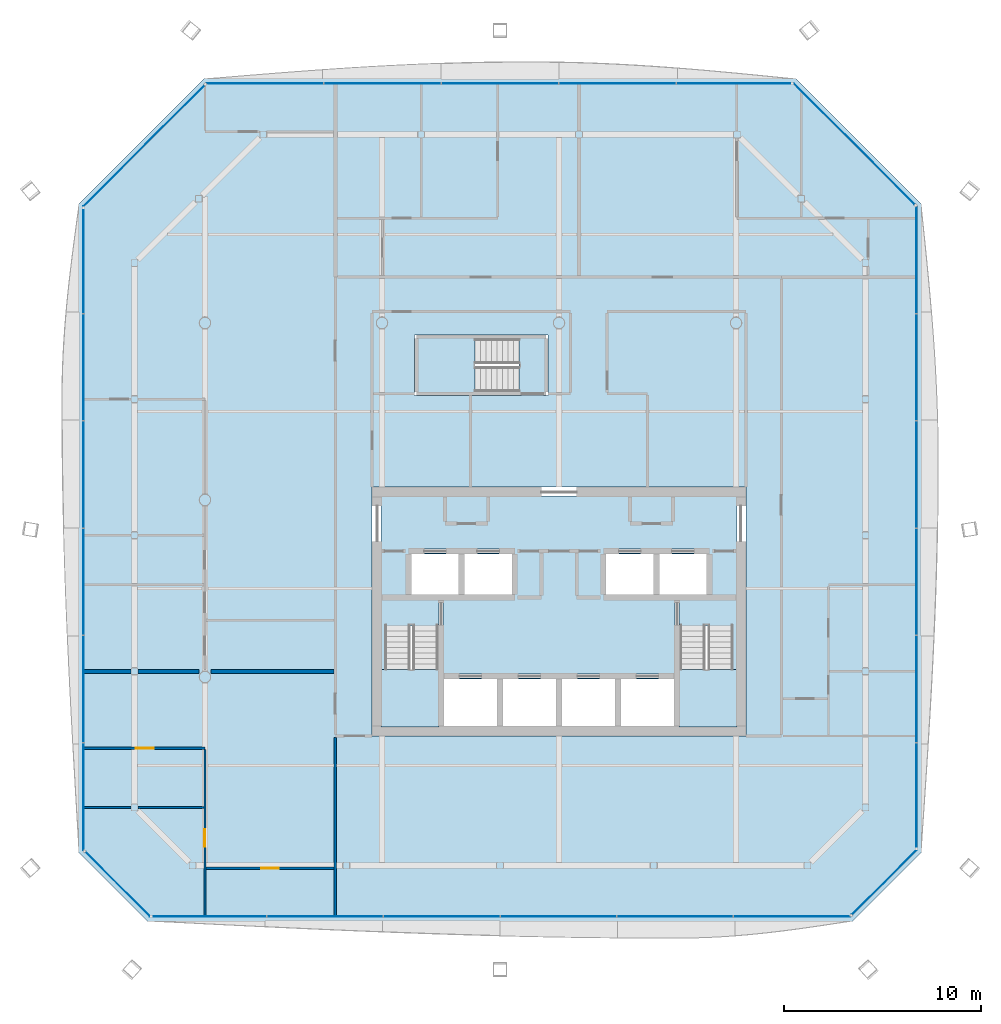
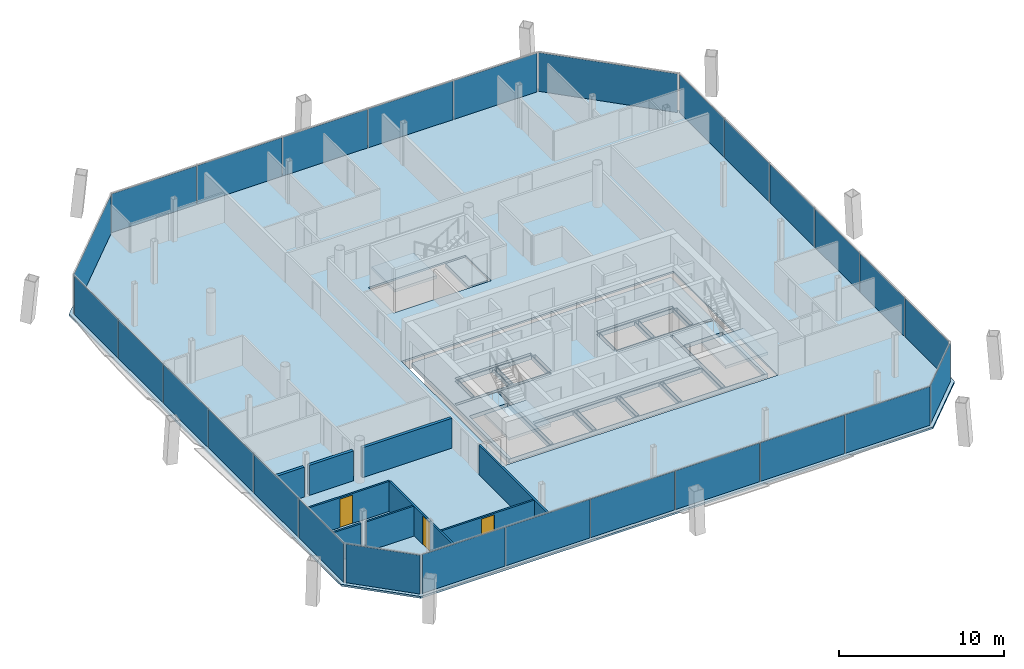
# One storey, part 13 of 20: 27 plates, 9 walls, 6 slabs, 3 doors, 3 openings, 11 elements without a shape of their own.
"""IFC4 building model written with IfcOpenShell, lengths in metres."""

from ifc_helpers import new_model, si_unit, direction, frame, frame_2d, origin, origin_2d, place, context, subcontext, project, spatial, polyline, rectangle, outline, extrude, material, layer, layer_set, type_object, element, fill, aggregate, save


model = new_model("IFC4")

# Units and contexts
model_context = context("Model", 3, precision=1e-05, world=origin(), true_north=direction((0.0, 1.0)))
body_context = subcontext(model_context, "Body", "Model", "MODEL_VIEW")
ifc_project = project(units=[si_unit("LENGTHUNIT", "METRE"), si_unit("AREAUNIT", "SQUARE_METRE"), si_unit("VOLUMEUNIT", "CUBIC_METRE"), si_unit("PLANEANGLEUNIT", "RADIAN"), si_unit("MASSUNIT", "GRAM", prefix="KILO")], contexts=[model_context])

# Site, building, storey
site_placement = place(None, origin())
site = spatial("IfcSite", under=ifc_project, at=site_placement, CompositionType="ELEMENT")
building_placement = place(site_placement, origin())
building = spatial("IfcBuilding", under=site, at=building_placement, Name="Tskaro Facet Tower", CompositionType="ELEMENT")
storey_placement = place(building_placement, frame((0.0, 0.0, 178.5)))
storey = spatial("IfcBuildingStorey", under=building, at=storey_placement, Name="L44", CompositionType="ELEMENT", Elevation=178.5)

# Slab
ifc_material_1 = material(Name="Concrete C30/37", Category="concrete")
ifc_layer_1 = layer(ifc_material_1, 0.139892578125, Name="Concrete C30/37")
ifc_layer_set_1 = layer_set([ifc_layer_1], Name="Concrete C30/37")
slab_type_1 = type_object("IfcSlabType", Name="Composite deck floor slab", PredefinedType="FLOOR", material=ifc_layer_set_1)
slab_1_placement = place(storey_placement, frame((0.0, 0.0, -0.139892578125)))
element("IfcSlab", 1, at=slab_1_placement, inside=storey, type_object=slab_type_1, Name="Floor slab FS3 L44", PredefinedType="FLOOR", context=body_context, shape_type="SweptSolid", body=[
    extrude(outline(polyline([(-20.904052734375, -21.426025390625), (14.904052734375, -21.426025390625), (18.426025390625, -17.904052734375), (18.426025390625, 15.034912109375), (12.034912109375, 21.426025390625), (-18.034912109375, 21.426025390625), (-24.426025390625, 15.034912109375), (-24.426025390625, -17.904052734375), (-20.904052734375, -21.426025390625)]), holes=[polyline([(-9.5, -12.0), (9.5, -12.0), (9.5, 0.64990234375), (-9.5, 0.64990234375), (-9.5, -12.0)]), polyline([(-7.35009765625, 5.300048828125), (-0.550048828125, 5.300048828125), (-0.550048828125, 8.39990234375), (-7.35009765625, 8.39990234375), (-7.35009765625, 5.300048828125)])]), origin(), (0.0, 0.0, 1.0), 0.139892578125),
])

# Curtain wall, plates
ifc_material_2 = material(Name="Bronze anodised aluminium 6063-T6", Category="aluminium")
curtain_wall_type = type_object("IfcCurtainWallType", Name="Bronze residence curtain wall (FW3)", PredefinedType="NOTDEFINED", material=ifc_material_2)
curtain_wall_1_placement = place(storey_placement, origin())
curtain_wall_1 = element("IfcCurtainWall", 2, at=curtain_wall_1_placement, inside=storey, type_object=curtain_wall_type, Name="FW3 south facet L44", PredefinedType="NOTDEFINED")
ifc_material_3 = material(Name="Bronze low-iron glass", Category="glass")
ifc_layer_2 = layer(ifc_material_3, 0.028076171875, Name="Bronze low-iron glass")
ifc_layer_set_2 = layer_set([ifc_layer_2], Name="Bronze low-iron glass")
plate_type = type_object("IfcPlateType", Name="FW3 bronze-tinted unit glazing 28", PredefinedType="CURTAIN_PANEL", material=ifc_layer_set_2)
plate_1_placement = place(storey_placement, frame((-17.77587890625, -21.176025390625, 0.0), z_axis=(0.0, 0.0, 1.0), x_axis=(1.0, 0.0, 0.0)))
plate_1 = element("IfcPlate", 3, at=plate_1_placement, type_object=plate_type, Name="FW3 south glazing 1.1", PredefinedType="CURTAIN_PANEL", context=body_context, shape_type="SweptSolid", body=[
    extrude(rectangle(XDim=5.768310546875, YDim=0.028076171875, at=origin_2d()), origin(), (0.0, 0.0, 1.0), 2.860107421875),
])
plate_2_placement = place(storey_placement, frame((-11.89990234375, -21.176025390625, 0.0), z_axis=(0.0, 0.0, 1.0), x_axis=(1.0, 0.0, 0.0)))
plate_2 = element("IfcPlate", 4, at=plate_2_placement, type_object=plate_type, Name="FW3 south glazing 2.1", PredefinedType="CURTAIN_PANEL", context=body_context, shape_type="SweptSolid", body=[
    extrude(rectangle(XDim=5.88330078125, YDim=0.028076171875, at=origin_2d()), origin(), (0.0, 0.0, 1.0), 2.860107421875),
])
plate_3_placement = place(storey_placement, frame((-5.966552734375, -21.176025390625, 0.0), z_axis=(0.0, 0.0, 1.0), x_axis=(1.0, 0.0, 0.0)))
plate_3 = element("IfcPlate", 5, at=plate_3_placement, type_object=plate_type, Name="FW3 south glazing 3.1", PredefinedType="CURTAIN_PANEL", context=body_context, shape_type="SweptSolid", body=[
    extrude(rectangle(XDim=5.88330078125, YDim=0.028076171875, at=origin_2d()), origin(), (0.0, 0.0, 1.0), 2.860107421875),
])
plate_4_placement = place(storey_placement, frame((-0.033447265625, -21.176025390625, 0.0), z_axis=(0.0, 0.0, 1.0), x_axis=(1.0, 0.0, 0.0)))
plate_4 = element("IfcPlate", 6, at=plate_4_placement, type_object=plate_type, Name="FW3 south glazing 4.1", PredefinedType="CURTAIN_PANEL", context=body_context, shape_type="SweptSolid", body=[
    extrude(rectangle(XDim=5.88330078125, YDim=0.028076171875, at=origin_2d()), origin(), (0.0, 0.0, 1.0), 2.860107421875),
])
plate_5_placement = place(storey_placement, frame((5.89990234375, -21.176025390625, 0.0), z_axis=(0.0, 0.0, 1.0), x_axis=(1.0, 0.0, 0.0)))
plate_5 = element("IfcPlate", 7, at=plate_5_placement, type_object=plate_type, Name="FW3 south glazing 5.1", PredefinedType="CURTAIN_PANEL", context=body_context, shape_type="SweptSolid", body=[
    extrude(rectangle(XDim=5.88330078125, YDim=0.028076171875, at=origin_2d()), origin(), (0.0, 0.0, 1.0), 2.860107421875),
])
plate_6_placement = place(storey_placement, frame((11.845947265625, -21.176025390625, 0.0), z_axis=(0.0, 0.0, 1.0), x_axis=(1.0, 0.0, 0.0)))
plate_6 = element("IfcPlate", 8, at=plate_6_placement, type_object=plate_type, Name="FW3 south glazing 6.1", PredefinedType="CURTAIN_PANEL", context=body_context, shape_type="SweptSolid", body=[
    extrude(rectangle(XDim=5.908447265625, YDim=0.028076171875, at=origin_2d()), origin(), (0.0, 0.0, 1.0), 2.860107421875),
])
aggregate(curtain_wall_1, [plate_1, plate_2, plate_3, plate_4, plate_5, plate_6])

# Curtain wall, plate
curtain_wall_2_placement = place(storey_placement, origin())
curtain_wall_2 = element("IfcCurtainWall", 9, at=curtain_wall_2_placement, inside=storey, type_object=curtain_wall_type, Name="FW3 south-east facet L44", PredefinedType="NOTDEFINED")
plate_7_placement = place(storey_placement, frame((16.53759765625, -19.4384765625, 0.0), z_axis=(0.0, 0.0, 1.0), x_axis=(0.707106781187, 0.707106781187, 0.0)))
plate_7 = element("IfcPlate", 10, at=plate_7_placement, type_object=plate_type, Name="FW3 south-east glazing 1.1", PredefinedType="CURTAIN_PANEL", context=body_context, shape_type="SweptSolid", body=[
    extrude(rectangle(XDim=4.63427734375, YDim=0.028076171875, at=origin_2d()), origin(), (0.0, 0.0, 1.0), 2.860107421875),
])
aggregate(curtain_wall_2, [plate_7])

# Curtain wall, plates
curtain_wall_3_placement = place(storey_placement, origin())
curtain_wall_3 = element("IfcCurtainWall", 11, at=curtain_wall_3_placement, inside=storey, type_object=curtain_wall_type, Name="FW3 east facet L44", PredefinedType="NOTDEFINED")
plate_8_placement = place(storey_placement, frame((18.176025390625, -15.014892578125, 0.0), z_axis=(0.0, 0.0, 1.0), x_axis=(0.0, 1.0, 0.0)))
plate_8 = element("IfcPlate", 12, at=plate_8_placement, type_object=plate_type, Name="FW3 east glazing 1.1", PredefinedType="CURTAIN_PANEL", context=body_context, shape_type="SweptSolid", body=[
    extrude(rectangle(XDim=5.290283203125, YDim=0.028076171875, at=origin_2d()), origin(), (0.0, 0.0, 1.0), 2.860107421875),
])
plate_9_placement = place(storey_placement, frame((18.176025390625, -9.6171875, 0.0), z_axis=(0.0, 0.0, 1.0), x_axis=(0.0, 1.0, 0.0)))
plate_9 = element("IfcPlate", 13, at=plate_9_placement, type_object=plate_type, Name="FW3 east glazing 2.1", PredefinedType="CURTAIN_PANEL", context=body_context, shape_type="SweptSolid", body=[
    extrude(rectangle(XDim=5.4052734375, YDim=0.028076171875, at=origin_2d()), origin(), (0.0, 0.0, 1.0), 2.860107421875),
])
plate_10_placement = place(storey_placement, frame((18.176025390625, -4.162109375, 0.0), z_axis=(0.0, 0.0, 1.0), x_axis=(0.0, 1.0, 0.0)))
plate_10 = element("IfcPlate", 14, at=plate_10_placement, type_object=plate_type, Name="FW3 east glazing 3.1", PredefinedType="CURTAIN_PANEL", context=body_context, shape_type="SweptSolid", body=[
    extrude(rectangle(XDim=5.4052734375, YDim=0.028076171875, at=origin_2d()), origin(), (0.0, 0.0, 1.0), 2.860107421875),
])
plate_11_placement = place(storey_placement, frame((18.176025390625, 1.29296875, 0.0), z_axis=(0.0, 0.0, 1.0), x_axis=(0.0, 1.0, 0.0)))
plate_11 = element("IfcPlate", 15, at=plate_11_placement, type_object=plate_type, Name="FW3 east glazing 4.1", PredefinedType="CURTAIN_PANEL", context=body_context, shape_type="SweptSolid", body=[
    extrude(rectangle(XDim=5.4052734375, YDim=0.028076171875, at=origin_2d()), origin(), (0.0, 0.0, 1.0), 2.860107421875),
])
plate_12_placement = place(storey_placement, frame((18.176025390625, 6.748291015625, 0.0), z_axis=(0.0, 0.0, 1.0), x_axis=(0.0, 1.0, 0.0)))
plate_12 = element("IfcPlate", 16, at=plate_12_placement, type_object=plate_type, Name="FW3 east glazing 5.1", PredefinedType="CURTAIN_PANEL", context=body_context, shape_type="SweptSolid", body=[
    extrude(rectangle(XDim=5.4052734375, YDim=0.028076171875, at=origin_2d()), origin(), (0.0, 0.0, 1.0), 2.860107421875),
])
plate_13_placement = place(storey_placement, frame((18.176025390625, 12.2158203125, 0.0), z_axis=(0.0, 0.0, 1.0), x_axis=(0.0, 1.0, 0.0)))
plate_13 = element("IfcPlate", 17, at=plate_13_placement, type_object=plate_type, Name="FW3 east glazing 6.1", PredefinedType="CURTAIN_PANEL", context=body_context, shape_type="SweptSolid", body=[
    extrude(rectangle(XDim=5.43017578125, YDim=0.028076171875, at=origin_2d()), origin(), (0.0, 0.0, 1.0), 2.860107421875),
])
aggregate(curtain_wall_3, [plate_8, plate_9, plate_10, plate_11, plate_12, plate_13])

# Curtain wall, plate
curtain_wall_4_placement = place(storey_placement, origin())
curtain_wall_4 = element("IfcCurtainWall", 18, at=curtain_wall_4_placement, inside=storey, type_object=curtain_wall_type, Name="FW3 north-east facet L44", PredefinedType="NOTDEFINED")
plate_14_placement = place(storey_placement, frame((15.00390625, 18.10302734375, 0.0), z_axis=(0.0, 0.0, 1.0), x_axis=(-0.707106781187, 0.707106781187, 0.0)))
plate_14 = element("IfcPlate", 19, at=plate_14_placement, type_object=plate_type, Name="FW3 north-east glazing 1.1", PredefinedType="CURTAIN_PANEL", context=body_context, shape_type="SweptSolid", body=[
    extrude(rectangle(XDim=8.691650390625, YDim=0.028076171875, at=origin_2d()), origin(), (0.0, 0.0, 1.0), 2.860107421875),
])
aggregate(curtain_wall_4, [plate_14])

# Curtain wall, plates
curtain_wall_5_placement = place(storey_placement, origin())
curtain_wall_5 = element("IfcCurtainWall", 20, at=curtain_wall_5_placement, inside=storey, type_object=curtain_wall_type, Name="FW3 north facet L44", PredefinedType="NOTDEFINED")
plate_15_placement = place(storey_placement, frame((8.88720703125, 21.176025390625, 0.0), z_axis=(0.0, 0.0, 1.0), x_axis=(-1.0, 0.0, 0.0)))
plate_15 = element("IfcPlate", 21, at=plate_15_placement, type_object=plate_type, Name="FW3 north glazing 1.1", PredefinedType="CURTAIN_PANEL", context=body_context, shape_type="SweptSolid", body=[
    extrude(rectangle(XDim=5.807373046875, YDim=0.028076171875, at=origin_2d()), origin(), (0.0, 0.0, 1.0), 2.860107421875),
])
plate_16_placement = place(storey_placement, frame((2.972412109375, 21.176025390625, 0.0), z_axis=(0.0, 0.0, 1.0), x_axis=(-1.0, 0.0, 0.0)))
plate_16 = element("IfcPlate", 22, at=plate_16_placement, type_object=plate_type, Name="FW3 north glazing 2.1", PredefinedType="CURTAIN_PANEL", context=body_context, shape_type="SweptSolid", body=[
    extrude(rectangle(XDim=5.92236328125, YDim=0.028076171875, at=origin_2d()), origin(), (0.0, 0.0, 1.0), 2.860107421875),
])
plate_17_placement = place(storey_placement, frame((-3.0, 21.176025390625, 0.0), z_axis=(0.0, 0.0, 1.0), x_axis=(-1.0, 0.0, 0.0)))
plate_17 = element("IfcPlate", 23, at=plate_17_placement, type_object=plate_type, Name="FW3 north glazing 3.1", PredefinedType="CURTAIN_PANEL", context=body_context, shape_type="SweptSolid", body=[
    extrude(rectangle(XDim=5.92236328125, YDim=0.028076171875, at=origin_2d()), origin(), (0.0, 0.0, 1.0), 2.860107421875),
])
plate_18_placement = place(storey_placement, frame((-8.972412109375, 21.176025390625, 0.0), z_axis=(0.0, 0.0, 1.0), x_axis=(-1.0, 0.0, 0.0)))
plate_18 = element("IfcPlate", 24, at=plate_18_placement, type_object=plate_type, Name="FW3 north glazing 4.1", PredefinedType="CURTAIN_PANEL", context=body_context, shape_type="SweptSolid", body=[
    extrude(rectangle(XDim=5.92236328125, YDim=0.028076171875, at=origin_2d()), origin(), (0.0, 0.0, 1.0), 2.860107421875),
])
plate_19_placement = place(storey_placement, frame((-14.957275390625, 21.176025390625, 0.0), z_axis=(0.0, 0.0, 1.0), x_axis=(-1.0, 0.0, 0.0)))
plate_19 = element("IfcPlate", 25, at=plate_19_placement, type_object=plate_type, Name="FW3 north glazing 5.1", PredefinedType="CURTAIN_PANEL", context=body_context, shape_type="SweptSolid", body=[
    extrude(rectangle(XDim=5.947509765625, YDim=0.028076171875, at=origin_2d()), origin(), (0.0, 0.0, 1.0), 2.860107421875),
])
aggregate(curtain_wall_5, [plate_15, plate_16, plate_17, plate_18, plate_19])

# Curtain wall, plate
curtain_wall_6_placement = place(storey_placement, origin())
curtain_wall_6 = element("IfcCurtainWall", 26, at=curtain_wall_6_placement, inside=storey, type_object=curtain_wall_type, Name="FW3 north-west facet L44", PredefinedType="NOTDEFINED")
plate_20_placement = place(storey_placement, frame((-21.10302734375, 18.00390625, 0.0), z_axis=(0.0, 0.0, 1.0), x_axis=(-0.707106781187, -0.707106781187, 0.0)))
plate_20 = element("IfcPlate", 27, at=plate_20_placement, type_object=plate_type, Name="FW3 north-west glazing 1.1", PredefinedType="CURTAIN_PANEL", context=body_context, shape_type="SweptSolid", body=[
    extrude(rectangle(XDim=8.691650390625, YDim=0.028076171875, at=origin_2d()), origin(), (0.0, 0.0, 1.0), 2.860107421875),
])
aggregate(curtain_wall_6, [plate_20])

# Curtain wall, plates
curtain_wall_7_placement = place(storey_placement, origin())
curtain_wall_7 = element("IfcCurtainWall", 28, at=curtain_wall_7_placement, inside=storey, type_object=curtain_wall_type, Name="FW3 west facet L44", PredefinedType="NOTDEFINED")
plate_21_placement = place(storey_placement, frame((-24.176025390625, 12.14599609375, 0.0), z_axis=(0.0, 0.0, 1.0), x_axis=(0.0, -1.0, 0.0)))
plate_21 = element("IfcPlate", 29, at=plate_21_placement, type_object=plate_type, Name="FW3 west glazing 1.1", PredefinedType="CURTAIN_PANEL", context=body_context, shape_type="SweptSolid", body=[
    extrude(rectangle(XDim=5.290283203125, YDim=0.028076171875, at=origin_2d()), origin(), (0.0, 0.0, 1.0), 2.860107421875),
])
plate_22_placement = place(storey_placement, frame((-24.176025390625, 6.748291015625, 0.0), z_axis=(0.0, 0.0, 1.0), x_axis=(0.0, -1.0, 0.0)))
plate_22 = element("IfcPlate", 30, at=plate_22_placement, type_object=plate_type, Name="FW3 west glazing 2.1", PredefinedType="CURTAIN_PANEL", context=body_context, shape_type="SweptSolid", body=[
    extrude(rectangle(XDim=5.4052734375, YDim=0.028076171875, at=origin_2d()), origin(), (0.0, 0.0, 1.0), 2.860107421875),
])
plate_23_placement = place(storey_placement, frame((-24.176025390625, 1.29296875, 0.0), z_axis=(0.0, 0.0, 1.0), x_axis=(0.0, -1.0, 0.0)))
plate_23 = element("IfcPlate", 31, at=plate_23_placement, type_object=plate_type, Name="FW3 west glazing 3.1", PredefinedType="CURTAIN_PANEL", context=body_context, shape_type="SweptSolid", body=[
    extrude(rectangle(XDim=5.4052734375, YDim=0.028076171875, at=origin_2d()), origin(), (0.0, 0.0, 1.0), 2.860107421875),
])
plate_24_placement = place(storey_placement, frame((-24.176025390625, -4.162109375, 0.0), z_axis=(0.0, 0.0, 1.0), x_axis=(0.0, -1.0, 0.0)))
plate_24 = element("IfcPlate", 32, at=plate_24_placement, type_object=plate_type, Name="FW3 west glazing 4.1", PredefinedType="CURTAIN_PANEL", context=body_context, shape_type="SweptSolid", body=[
    extrude(rectangle(XDim=5.4052734375, YDim=0.028076171875, at=origin_2d()), origin(), (0.0, 0.0, 1.0), 2.860107421875),
])
plate_25_placement = place(storey_placement, frame((-24.176025390625, -9.6171875, 0.0), z_axis=(0.0, 0.0, 1.0), x_axis=(0.0, -1.0, 0.0)))
plate_25 = element("IfcPlate", 33, at=plate_25_placement, type_object=plate_type, Name="FW3 west glazing 5.1", PredefinedType="CURTAIN_PANEL", context=body_context, shape_type="SweptSolid", body=[
    extrude(rectangle(XDim=5.4052734375, YDim=0.028076171875, at=origin_2d()), origin(), (0.0, 0.0, 1.0), 2.860107421875),
])
plate_26_placement = place(storey_placement, frame((-24.176025390625, -15.0849609375, 0.0), z_axis=(0.0, 0.0, 1.0), x_axis=(0.0, -1.0, 0.0)))
plate_26 = element("IfcPlate", 34, at=plate_26_placement, type_object=plate_type, Name="FW3 west glazing 6.1", PredefinedType="CURTAIN_PANEL", context=body_context, shape_type="SweptSolid", body=[
    extrude(rectangle(XDim=5.43017578125, YDim=0.028076171875, at=origin_2d()), origin(), (0.0, 0.0, 1.0), 2.860107421875),
])
aggregate(curtain_wall_7, [plate_21, plate_22, plate_23, plate_24, plate_25, plate_26])

# Curtain wall, plate
curtain_wall_8_placement = place(storey_placement, origin())
curtain_wall_8 = element("IfcCurtainWall", 35, at=curtain_wall_8_placement, inside=storey, type_object=curtain_wall_type, Name="FW3 south-west facet L44", PredefinedType="NOTDEFINED")
plate_27_placement = place(storey_placement, frame((-22.4384765625, -19.53759765625, 0.0), z_axis=(0.0, 0.0, 1.0), x_axis=(0.707106781187, -0.707106781187, 0.0)))
plate_27 = element("IfcPlate", 36, at=plate_27_placement, type_object=plate_type, Name="FW3 south-west glazing 1.1", PredefinedType="CURTAIN_PANEL", context=body_context, shape_type="SweptSolid", body=[
    extrude(rectangle(XDim=4.63427734375, YDim=0.028076171875, at=origin_2d()), origin(), (0.0, 0.0, 1.0), 2.860107421875),
])
aggregate(curtain_wall_8, [plate_27])

# Stair, slab
ifc_material_4 = material(Name="Concrete C40/50", Category="concrete")
stair_type = type_object("IfcStairType", Name="ST-TWR", PredefinedType="HALF_TURN_STAIR", material=ifc_material_4)
stair_1_placement = place(storey_placement, origin())
stair_1 = element("IfcStair", 37, at=stair_1_placement, inside=storey, type_object=stair_type, Name="L44 Exit stair 1", PredefinedType="HALF_TURN_STAIR")
ifc_layer_3 = layer(ifc_material_4, 0.199951171875, Name="Concrete C40/50")
ifc_layer_set_3 = layer_set([ifc_layer_3], Name="Concrete C40/50")
slab_type_2 = type_object("IfcSlabType", Name="SL-LANDING", PredefinedType="LANDING", material=ifc_layer_set_3)
slab_2_placement = place(storey_placement, frame((0.0, 0.0, 1.375)))
slab_2 = element("IfcSlab", 38, at=slab_2_placement, type_object=slab_type_2, Name="ST-1 landing 1", PredefinedType="LANDING", context=body_context, shape_type="SweptSolid", body=[
    extrude(outline(polyline([(-9.050048828125, -11.550048828125), (-6.10009765625, -11.550048828125), (-6.10009765625, -8.614990234375), (-9.050048828125, -8.614990234375), (-9.050048828125, -11.550048828125)])), origin(), (0.0, 0.0, 1.0), 0.199951171875),
])
aggregate(stair_1, [slab_2])

stair_2_placement = place(storey_placement, origin())
stair_2 = element("IfcStair", 39, at=stair_2_placement, inside=storey, type_object=stair_type, Name="L44 Exit stair 2", PredefinedType="HALF_TURN_STAIR")
slab_3_placement = place(storey_placement, frame((0.0, 0.0, 1.375)))
slab_3 = element("IfcSlab", 40, at=slab_3_placement, type_object=slab_type_2, Name="ST-2 landing 1", PredefinedType="LANDING", context=body_context, shape_type="SweptSolid", body=[
    extrude(outline(polyline([(6.10009765625, -11.550048828125), (9.050048828125, -11.550048828125), (9.050048828125, -8.614990234375), (6.10009765625, -8.614990234375), (6.10009765625, -11.550048828125)])), origin(), (0.0, 0.0, 1.0), 0.199951171875),
])
aggregate(stair_2, [slab_3])

stair_3_placement = place(storey_placement, origin())
stair_3 = element("IfcStair", 41, at=stair_3_placement, inside=storey, type_object=stair_type, Name="L44 Exit stair 3", PredefinedType="HALF_TURN_STAIR")
slab_4_placement = place(storey_placement, frame((0.0, 0.0, 1.375)))
slab_4 = element("IfcSlab", 42, at=slab_4_placement, type_object=slab_type_2, Name="ST-3 landing 1", PredefinedType="LANDING", context=body_context, shape_type="SweptSolid", body=[
    extrude(outline(polyline([(-7.199951171875, 5.449951171875), (-4.264892578125, 5.449951171875), (-4.264892578125, 8.25), (-7.199951171875, 8.25), (-7.199951171875, 5.449951171875)])), origin(), (0.0, 0.0, 1.0), 0.199951171875),
])
aggregate(stair_3, [slab_4])

# Slabs
ifc_material_5 = material(Name="Concrete C60/75", Category="concrete")
ifc_layer_4 = layer(ifc_material_5, 0.300048828125, Name="Concrete C60/75")
ifc_layer_set_4 = layer_set([ifc_layer_4], Name="Concrete C60/75")
slab_type_3 = type_object("IfcSlabType", Name="SLAB-CORE", PredefinedType="FLOOR", material=ifc_layer_set_4)
slab_5_placement = place(storey_placement, frame((0.0, 0.0, -0.300048828125)))
element("IfcSlab", 43, at=slab_5_placement, inside=storey, type_object=slab_type_3, Name="Core floor slab 1", PredefinedType="FLOOR", context=body_context, shape_type="SweptSolid", body=[
    extrude(outline(polyline([(-9.050048828125, 0.199951171875), (9.050048828125, 0.199951171875), (9.050048828125, 0.10009765625), (9.050048828125, -11.449951171875), (9.050048828125, -11.550048828125), (-9.050048828125, -11.550048828125), (-9.050048828125, -11.449951171875), (-9.050048828125, 0.10009765625), (-9.050048828125, 0.199951171875)]), holes=[polyline([(-5.85009765625, -9.10009765625), (-5.85009765625, -11.5), (-3.14990234375, -11.5), (-3.14990234375, -9.10009765625), (-5.85009765625, -9.10009765625)]), polyline([(-3.10009765625, -11.449951171875), (-2.89990234375, -11.449951171875), (-2.89990234375, -9.14990234375), (-3.10009765625, -9.14990234375), (-3.10009765625, -11.449951171875)]), polyline([(-2.85009765625, -9.10009765625), (-2.85009765625, -11.5), (-0.14990234375, -11.5), (-0.14990234375, -9.10009765625), (-2.85009765625, -9.10009765625)]), polyline([(-6.10009765625, -11.449951171875), (-5.89990234375, -11.449951171875), (-5.89990234375, -5.14990234375), (-6.10009765625, -5.14990234375), (-6.10009765625, -11.449951171875)]), polyline([(-8.949951171875, -5.050048828125), (-2.300048828125, -5.050048828125), (-2.300048828125, -4.85009765625), (-8.949951171875, -4.85009765625), (-8.949951171875, -5.050048828125)]), polyline([(-7.75, -4.75), (-7.550048828125, -4.75), (-7.550048828125, -2.800048828125), (-7.75, -2.800048828125), (-7.75, -4.75)]), polyline([(-5.10009765625, -2.75), (-7.5, -2.75), (-7.5, -4.800048828125), (-5.10009765625, -4.800048828125), (-5.10009765625, -2.75)]), polyline([(-5.050048828125, -4.75), (-4.85009765625, -4.75), (-4.85009765625, -2.800048828125), (-5.050048828125, -2.800048828125), (-5.050048828125, -4.75)]), polyline([(-2.39990234375, -2.75), (-4.800048828125, -2.75), (-4.800048828125, -4.800048828125), (-2.39990234375, -4.800048828125), (-2.39990234375, -2.75)]), polyline([(-2.35009765625, -4.75), (-2.14990234375, -4.75), (-2.14990234375, -2.800048828125), (-2.35009765625, -2.800048828125), (-2.35009765625, -4.75)]), polyline([(-7.60009765625, -2.699951171875), (-2.300048828125, -2.699951171875), (-2.300048828125, -2.5), (-7.60009765625, -2.5), (-7.60009765625, -2.699951171875)]), polyline([(-0.10009765625, -11.449951171875), (0.10009765625, -11.449951171875), (0.10009765625, -9.14990234375), (-0.10009765625, -9.14990234375), (-0.10009765625, -11.449951171875)]), polyline([(0.14990234375, -9.10009765625), (0.14990234375, -11.5), (2.85009765625, -11.5), (2.85009765625, -9.10009765625), (0.14990234375, -9.10009765625)]), polyline([(2.89990234375, -11.449951171875), (3.10009765625, -11.449951171875), (3.10009765625, -9.14990234375), (2.89990234375, -9.14990234375), (2.89990234375, -11.449951171875)]), polyline([(3.14990234375, -9.10009765625), (3.14990234375, -11.5), (5.85009765625, -11.5), (5.85009765625, -9.10009765625), (3.14990234375, -9.10009765625)]), polyline([(-5.800048828125, -9.050048828125), (5.800048828125, -9.050048828125), (5.800048828125, -8.85009765625), (-5.800048828125, -8.85009765625), (-5.800048828125, -9.050048828125)]), polyline([(5.89990234375, -11.449951171875), (6.10009765625, -11.449951171875), (6.10009765625, -5.14990234375), (5.89990234375, -5.14990234375), (5.89990234375, -11.449951171875)]), polyline([(2.300048828125, -5.050048828125), (8.949951171875, -5.050048828125), (8.949951171875, -4.85009765625), (2.300048828125, -4.85009765625), (2.300048828125, -5.050048828125)]), polyline([(2.14990234375, -4.75), (2.35009765625, -4.75), (2.35009765625, -2.800048828125), (2.14990234375, -2.800048828125), (2.14990234375, -4.75)]), polyline([(2.39990234375, -2.75), (2.39990234375, -4.800048828125), (4.800048828125, -4.800048828125), (4.800048828125, -2.75), (2.39990234375, -2.75)]), polyline([(4.85009765625, -4.75), (5.050048828125, -4.75), (5.050048828125, -2.800048828125), (4.85009765625, -2.800048828125), (4.85009765625, -4.75)]), polyline([(7.5, -2.75), (5.10009765625, -2.75), (5.10009765625, -4.800048828125), (7.5, -4.800048828125), (7.5, -2.75)]), polyline([(7.550048828125, -4.75), (7.75, -4.75), (7.75, -2.800048828125), (7.550048828125, -2.800048828125), (7.550048828125, -4.75)]), polyline([(2.300048828125, -2.699951171875), (7.60009765625, -2.699951171875), (7.60009765625, -2.5), (2.300048828125, -2.5), (2.300048828125, -2.699951171875)]), polyline([(-8.85009765625, -11.5), (-6.14990234375, -11.5), (-6.14990234375, -6.39501953125), (-8.85009765625, -6.39501953125), (-8.85009765625, -11.5)]), polyline([(6.14990234375, -6.39501953125), (6.14990234375, -11.5), (8.85009765625, -11.5), (8.85009765625, -6.39501953125), (6.14990234375, -6.39501953125)])]), origin(), (0.0, 0.0, 1.0), 0.300048828125),
])
slab_6_placement = place(storey_placement, frame((0.0, 0.0, -0.300048828125)))
element("IfcSlab", 44, at=slab_6_placement, inside=storey, type_object=slab_type_3, Name="Stair 3 floor landing 1", PredefinedType="FLOOR", context=body_context, shape_type="SweptSolid", body=[
    extrude(outline(polyline([(-2.02490234375, 5.449951171875), (-0.699951171875, 5.449951171875), (-0.699951171875, 8.25), (-2.02490234375, 8.25), (-2.02490234375, 5.449951171875)])), origin(), (0.0, 0.0, 1.0), 0.300048828125),
])

# Wall, opening, door
ifc_material_6 = material(Name="Gypsum board on steel studs", Category="steel")
ifc_layer_5 = layer(ifc_material_6, 0.125, Name="Gypsum board on steel studs")
ifc_layer_set_5 = layer_set([ifc_layer_5], Name="Gypsum board on steel studs")
wall_type_1 = type_object("IfcWallType", Name="PART", PredefinedType="PARTITIONING", material=ifc_layer_set_5)
wall_1_placement = place(storey_placement, frame((-11.4375, -18.72509765625, 0.0), z_axis=(0.0, 0.0, 1.0), x_axis=(-1.0, 0.0, 0.0)))
wall_1 = element("IfcWall", 45, at=wall_1_placement, inside=storey, type_object=wall_type_1, Name="Partition W001", PredefinedType="PARTITIONING", context=body_context, shape_type="SweptSolid", body=[
    extrude(rectangle(XDim=6.5, YDim=0.125, at=frame_2d((3.25, 0.0))), origin(), (0.0, 0.0, 1.0), 2.2099609375),
])
opening_1_placement = place(wall_1_placement, frame((2.800048828125, 0.0, 0.0)))
opening_1 = element("IfcOpeningElement", 46, at=opening_1_placement, cuts=wall_1, Name="Opening T12-D01", PredefinedType="OPENING", context=body_context, shape_type="SweptSolid", body=[
    extrude(rectangle(XDim=0.89990234375, YDim=2.10009765625, at=frame_2d((0.449951171875, 1.050048828125))), frame((0.0, 0.072509765625, 0.0), z_axis=(0.0, -1.0, 0.0), x_axis=(1.0, 0.0, 0.0)), (0.0, 0.0, 1.0), 0.14501953125),
])
ifc_material_7 = material(Name="Timber", Category="wood")
door_type = type_object("IfcDoorType", Name="D-ROOM", OperationType="NOTDEFINED", PredefinedType="DOOR", material=ifc_material_7)
door_1_placement = place(opening_1_placement, origin())
door_1 = element("IfcDoor", 47, at=door_1_placement, inside=storey, type_object=door_type, Name="Door T12-D01", OperationType="SINGLE_SWING_RIGHT", OverallHeight=2.10009765625, OverallWidth=0.89990234375, PredefinedType="DOOR", context=body_context, shape_type="SweptSolid", body=[
    extrude(rectangle(XDim=0.89990234375, YDim=2.10009765625, at=frame_2d((0.449951171875, 1.050048828125))), frame((0.0, 0.02490234375, 0.0), z_axis=(0.0, -1.0, 0.0), x_axis=(1.0, 0.0, 0.0)), (0.0, 0.0, 1.0), 0.050048828125),
])
fill(opening_1, door_1)

# Walls
wall_2_placement = place(storey_placement, frame((-24.125, -15.635009765625, 0.0), z_axis=(0.0, 0.0, 1.0), x_axis=(1.0, 0.0, 0.0)))
element("IfcWall", 48, at=wall_2_placement, inside=storey, type_object=wall_type_1, Name="Partition W002", PredefinedType="PARTITIONING", context=body_context, shape_type="SweptSolid", body=[
    extrude(rectangle(XDim=2.366943359375, YDim=0.125, at=frame_2d((1.18359375, 0.0))), origin(), (0.0, 0.0, 1.0), 2.2099609375),
])
wall_3_placement = place(storey_placement, frame((-21.407958984375, -15.635009765625, 0.0), z_axis=(0.0, 0.0, 1.0), x_axis=(1.0, 0.0, 0.0)))
element("IfcWall", 49, at=wall_3_placement, inside=storey, type_object=wall_type_1, Name="Partition W003", PredefinedType="PARTITIONING", context=body_context, shape_type="SweptSolid", body=[
    extrude(rectangle(XDim=3.345458984375, YDim=0.125, at=frame_2d((1.6728515625, 0.0))), origin(), (0.0, 0.0, 1.0), 2.2099609375),
])

# Wall, opening, door
wall_4_placement = place(storey_placement, frame((-18.0, -12.625, 0.0), z_axis=(0.0, 0.0, 1.0), x_axis=(-1.0, 0.0, 0.0)))
wall_4 = element("IfcWall", 50, at=wall_4_placement, inside=storey, type_object=wall_type_1, Name="Partition W004", PredefinedType="PARTITIONING", context=body_context, shape_type="SweptSolid", body=[
    extrude(rectangle(XDim=6.125, YDim=0.125, at=frame_2d((3.0625, 0.0))), origin(), (0.0, 0.0, 1.0), 2.2099609375),
])
opening_2_placement = place(wall_4_placement, frame((2.612548828125, 0.0, 0.0)))
opening_2 = element("IfcOpeningElement", 51, at=opening_2_placement, cuts=wall_4, Name="Opening T12-D03", PredefinedType="OPENING", context=body_context, shape_type="SweptSolid", body=[
    extrude(rectangle(XDim=0.89990234375, YDim=2.10009765625, at=frame_2d((0.449951171875, 1.050048828125))), frame((0.0, 0.072509765625, 0.0), z_axis=(0.0, -1.0, 0.0), x_axis=(1.0, 0.0, 0.0)), (0.0, 0.0, 1.0), 0.14501953125),
])
door_2_placement = place(opening_2_placement, origin())
door_2 = element("IfcDoor", 52, at=door_2_placement, inside=storey, type_object=door_type, Name="Door T12-D03", OperationType="SINGLE_SWING_RIGHT", OverallHeight=2.10009765625, OverallWidth=0.89990234375, PredefinedType="DOOR", context=body_context, shape_type="SweptSolid", body=[
    extrude(rectangle(XDim=0.89990234375, YDim=2.10009765625, at=frame_2d((0.449951171875, 1.050048828125))), frame((0.0, 0.02490234375, 0.0), z_axis=(0.0, -1.0, 0.0), x_axis=(1.0, 0.0, 0.0)), (0.0, 0.0, 1.0), 0.050048828125),
])
fill(opening_2, door_2)

wall_5_placement = place(storey_placement, frame((-18.0, -21.125, 0.0), z_axis=(0.0, 0.0, 1.0), x_axis=(0.0, 1.0, 0.0)))
wall_5 = element("IfcWall", 53, at=wall_5_placement, inside=storey, type_object=wall_type_1, Name="Partition W046", PredefinedType="PARTITIONING", context=body_context, shape_type="SweptSolid", body=[
    extrude(rectangle(XDim=8.4375, YDim=0.125, at=frame_2d((4.21875, 0.0))), origin(), (0.0, 0.0, 1.0), 2.2099609375),
])
opening_3_placement = place(wall_5_placement, frame((3.4951171875, 0.0, 0.0)))
opening_3 = element("IfcOpeningElement", 54, at=opening_3_placement, cuts=wall_5, Name="Opening T12-D02", PredefinedType="OPENING", context=body_context, shape_type="SweptSolid", body=[
    extrude(rectangle(XDim=0.89990234375, YDim=2.10009765625, at=frame_2d((0.449951171875, 1.050048828125))), frame((0.0, 0.072509765625, 0.0), z_axis=(0.0, -1.0, 0.0), x_axis=(1.0, 0.0, 0.0)), (0.0, 0.0, 1.0), 0.14501953125),
])
door_3_placement = place(opening_3_placement, origin())
door_3 = element("IfcDoor", 55, at=door_3_placement, inside=storey, type_object=door_type, Name="Door T12-D02", OperationType="SINGLE_SWING_RIGHT", OverallHeight=2.10009765625, OverallWidth=0.89990234375, PredefinedType="DOOR", context=body_context, shape_type="SweptSolid", body=[
    extrude(rectangle(XDim=0.89990234375, YDim=2.10009765625, at=frame_2d((0.449951171875, 1.050048828125))), frame((0.0, 0.02490234375, 0.0), z_axis=(0.0, -1.0, 0.0), x_axis=(1.0, 0.0, 0.0)), (0.0, 0.0, 1.0), 0.050048828125),
])
fill(opening_3, door_3)

# Walls
wall_6_placement = place(storey_placement, frame((-11.375, -21.125, 0.0), z_axis=(0.0, 0.0, 1.0), x_axis=(0.0, 1.0, 0.0)))
element("IfcWall", 56, at=wall_6_placement, inside=storey, type_object=wall_type_1, Name="Partition W050", PredefinedType="PARTITIONING", context=body_context, shape_type="SweptSolid", body=[
    extrude(rectangle(XDim=9.050048828125, YDim=0.125, at=frame_2d((4.52490234375, 0.0))), origin(), (0.0, 0.0, 1.0), 2.2099609375),
])
ifc_layer_6 = layer(ifc_material_6, 0.199951171875, Name="Gypsum board on steel studs")
ifc_layer_set_6 = layer_set([ifc_layer_6], Name="Gypsum board on steel studs")
wall_type_2 = type_object("IfcWallType", Name="PART-DEMISING", PredefinedType="PARTITIONING", material=ifc_layer_set_6)
wall_7_placement = place(storey_placement, frame((-24.125, -8.715087890625, 0.0), z_axis=(0.0, 0.0, 1.0), x_axis=(1.0, 0.0, 0.0)))
element("IfcWall", 57, at=wall_7_placement, inside=storey, type_object=wall_type_2, Name="Guest room wall W010", PredefinedType="PARTITIONING", context=body_context, shape_type="SweptSolid", body=[
    extrude(rectangle(XDim=2.366943359375, YDim=0.199951171875, at=frame_2d((1.18359375, 0.0))), origin(), (0.0, 0.0, 1.0), 2.2099609375),
])
wall_8_placement = place(storey_placement, frame((-21.407958984375, -8.715087890625, 0.0), z_axis=(0.0, 0.0, 1.0), x_axis=(1.0, 0.0, 0.0)))
element("IfcWall", 58, at=wall_8_placement, inside=storey, type_object=wall_type_2, Name="Guest room wall W011", PredefinedType="PARTITIONING", context=body_context, shape_type="SweptSolid", body=[
    extrude(rectangle(XDim=3.10302734375, YDim=0.199951171875, at=frame_2d((1.551513671875, 0.0))), origin(), (0.0, 0.0, 1.0), 2.2099609375),
])
wall_9_placement = place(storey_placement, frame((-17.695068359375, -8.715087890625, 0.0), z_axis=(0.0, 0.0, 1.0), x_axis=(1.0, 0.0, 0.0)))
element("IfcWall", 59, at=wall_9_placement, inside=storey, type_object=wall_type_2, Name="Guest room wall W012", PredefinedType="PARTITIONING", context=body_context, shape_type="SweptSolid", body=[
    extrude(rectangle(XDim=6.2451171875, YDim=0.199951171875, at=frame_2d((3.12255859375, 0.0))), origin(), (0.0, 0.0, 1.0), 2.2099609375),
])

save(model, "model.ifc")
